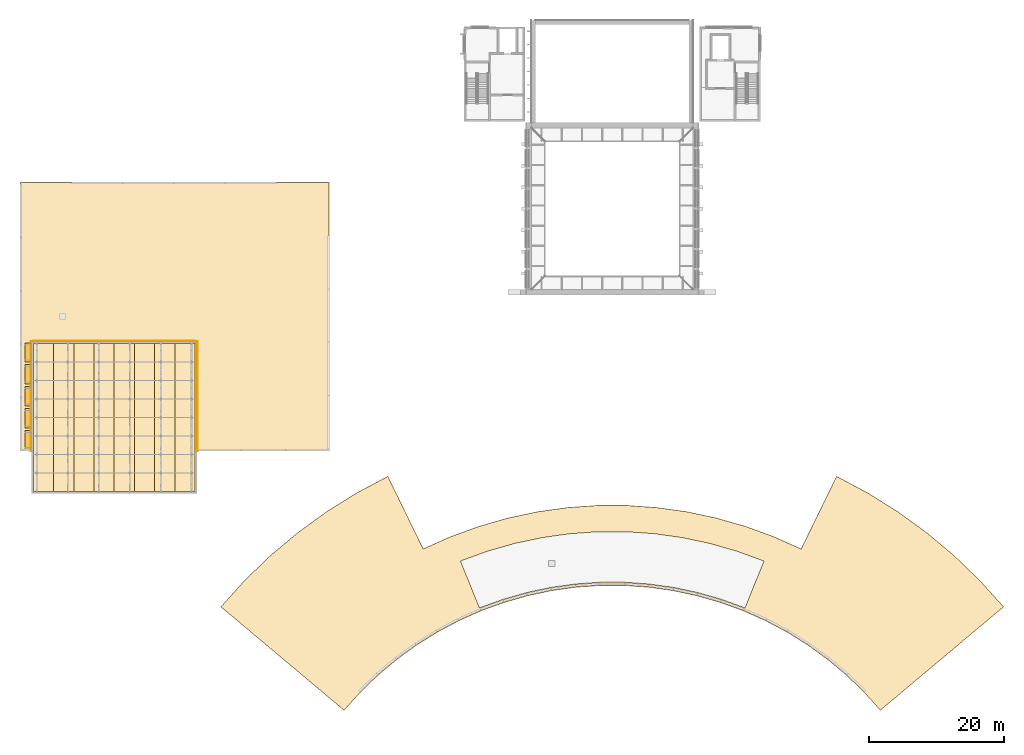
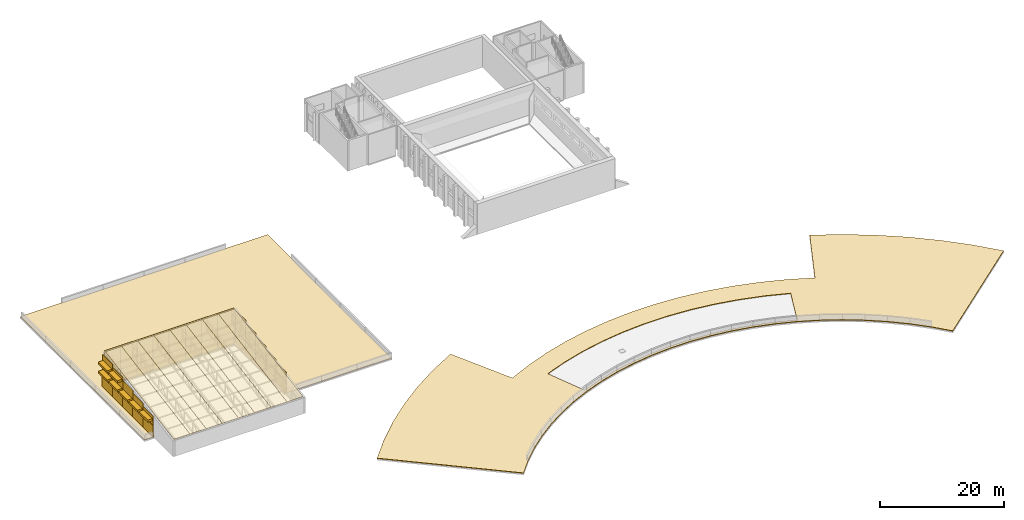
# One storey, part 18 of 22: 46 coverings, 7 shading devices.
"""IFC4 building model written with IfcOpenShell, lengths in metres."""

from ifc_helpers import new_model, si_unit, direction, frame, origin, origin_2d, place, context, subcontext, project, spatial, polyline, rectangle, outline, extrude, material, layer, layer_set, type_object, element, save


model = new_model("IFC4")

# Units and contexts
model_context = context("Model", 3, precision=1e-05, world=origin(), true_north=direction((0.0, 1.0)))
body_context = subcontext(model_context, "Body", "Model", "MODEL_VIEW")
ifc_project = project(units=[si_unit("LENGTHUNIT", "METRE"), si_unit("AREAUNIT", "SQUARE_METRE"), si_unit("VOLUMEUNIT", "CUBIC_METRE"), si_unit("PLANEANGLEUNIT", "RADIAN"), si_unit("MASSUNIT", "GRAM", prefix="KILO")], contexts=[model_context])

# Site, building, storey
site_placement = place(None, origin())
site = spatial("IfcSite", under=ifc_project, at=site_placement, CompositionType="ELEMENT")
building_placement = place(site_placement, origin())
building = spatial("IfcBuilding", under=site, at=building_placement, Name="Lunette Opera House", CompositionType="ELEMENT")
storey_placement = place(building_placement, frame((0.0, 0.0, 28.0)))
storey = spatial("IfcBuildingStorey", under=building, at=storey_placement, Name="L05", CompositionType="ELEMENT", Elevation=28.0)

# Shading devices
ifc_material_1 = material(Name="Powder-coated aluminium", Category="aluminium")
shading_device_type = type_object("IfcShadingDeviceType", Name="BRISE-SOLEIL BLADE 900 X 400", PredefinedType="USERDEFINED", material=ifc_material_1)
for number, where, z_axis, x_axis, name in (
    (1, (9.18994140625, 73.6298828125, 3.199951171875), (0.0, 0.0, 1.0), (-1.0, 0.0, 0.0), "Brise-soleil blade loft W3 0"),
    (2, (9.18994140625, 76.889892578125, 3.199951171875), (0.0, 0.0, 1.0), (-1.0, 0.0, 0.0), "Brise-soleil blade loft W3 1"),
    (3, (9.18994140625, 80.14990234375, 3.199951171875), (0.0, 0.0, 1.0), (-1.0, 0.0, 0.0), "Brise-soleil blade loft W3 2"),
    (4, (9.18994140625, 83.409912109375, 3.199951171875), (0.0, 0.0, 1.0), (-1.0, 0.0, 0.0), "Brise-soleil blade loft W3 3"),
    (5, (9.18994140625, 83.409912109375, 5.0), (0.0, 0.0, 1.0), (-1.0, 0.0, 0.0), "Brise-soleil blade loft W3 3"),
    (6, (9.18994140625, 86.669921875, 3.199951171875), (0.0, 0.0, 1.0), (-1.0, 0.0, 0.0), "Brise-soleil blade loft W3 4"),
    (7, (9.18994140625, 86.669921875, 5.0), (0.0, 0.0, 1.0), (-1.0, 0.0, 0.0), "Brise-soleil blade loft W3 4"),
):
    element("IfcShadingDevice", number, at=place(storey_placement, frame(where, z_axis=z_axis, x_axis=x_axis)), inside=storey, type_object=shading_device_type, Name=name, ObjectType="BRISE-SOLEIL BLADE", PredefinedType="USERDEFINED", context=body_context, shape_type="SweptSolid", body=[
        extrude(rectangle(XDim=0.89990234375, YDim=2.860107421875, at=origin_2d()), origin(), (0.0, 0.0, 1.0), 0.39990234375),
    ])

# Coverings
ifc_material_2 = material(Name="Clinker brick", Category="masonry")
ifc_layer_1 = layer(ifc_material_2, 0.114990234375)
ifc_layer_set_1 = layer_set([ifc_layer_1], Name="Clinker brick")
covering_type_1 = type_object("IfcCoveringType", Name="CLINKER CLADDING 115", PredefinedType="CLADDING", material=ifc_layer_set_1)
for number, where, z_axis, x_axis, name in (
    (8, (11.5, 88.35791015625, 0.0), (0.0, 0.0, 1.0), (1.0, 0.0, 0.0), "Loft cladding N 0"),
    (9, (14.5, 88.35791015625, 0.0), (0.0, 0.0, 1.0), (1.0, 0.0, 0.0), "Loft cladding N 1"),
    (10, (17.5, 88.35791015625, 0.0), (0.0, 0.0, 1.0), (1.0, 0.0, 0.0), "Loft cladding N 2"),
    (11, (20.5, 88.35791015625, 0.0), (0.0, 0.0, 1.0), (1.0, 0.0, 0.0), "Loft cladding N 3"),
    (12, (23.5, 88.35791015625, 0.0), (0.0, 0.0, 1.0), (1.0, 0.0, 0.0), "Loft cladding N 4"),
    (13, (26.5, 88.35791015625, 0.0), (0.0, 0.0, 1.0), (1.0, 0.0, 0.0), "Loft cladding N 5"),
    (14, (29.5, 88.35791015625, 0.0), (0.0, 0.0, 1.0), (1.0, 0.0, 0.0), "Loft cladding N 6"),
    (15, (32.5, 88.35791015625, 0.0), (0.0, 0.0, 1.0), (1.0, 0.0, 0.0), "Loft cladding N 7"),
):
    element("IfcCovering", number, at=place(storey_placement, frame(where, z_axis=z_axis, x_axis=x_axis)), inside=storey, type_object=covering_type_1, Name=name, PredefinedType="CLADDING", context=body_context, shape_type="SweptSolid", body=[
        extrude(rectangle(XDim=3.0, YDim=0.114990234375, at=origin_2d()), origin(), (0.0, 0.0, 1.0), 2.39990234375),
    ])
for number, where, z_axis, x_axis, name in (
    (16, (9.64306640625, 73.6298828125, 0.0), (0.0, 0.0, 1.0), (0.0, 1.0, 0.0), "Loft cladding W3 0"),
    (17, (9.64306640625, 76.889892578125, 0.0), (0.0, 0.0, 1.0), (0.0, 1.0, 0.0), "Loft cladding W3 1"),
    (18, (9.64306640625, 80.14990234375, 0.0), (0.0, 0.0, 1.0), (0.0, 1.0, 0.0), "Loft cladding W3 2"),
    (19, (9.64306640625, 83.409912109375, 0.0), (0.0, 0.0, 1.0), (0.0, 1.0, 0.0), "Loft cladding W3 3"),
    (20, (9.64306640625, 86.669921875, 0.0), (0.0, 0.0, 1.0), (0.0, 1.0, 0.0), "Loft cladding W3 4"),
    (21, (34.35791015625, 73.6298828125, 0.0), (0.0, 0.0, 1.0), (0.0, 1.0, 0.0), "Loft cladding E3 0"),
    (22, (34.35791015625, 76.889892578125, 0.0), (0.0, 0.0, 1.0), (0.0, 1.0, 0.0), "Loft cladding E3 1"),
    (23, (34.35791015625, 80.14990234375, 0.0), (0.0, 0.0, 1.0), (0.0, 1.0, 0.0), "Loft cladding E3 2"),
    (24, (34.35791015625, 83.409912109375, 0.0), (0.0, 0.0, 1.0), (0.0, 1.0, 0.0), "Loft cladding E3 3"),
    (25, (34.35791015625, 86.669921875, 0.0), (0.0, 0.0, 1.0), (0.0, 1.0, 0.0), "Loft cladding E3 4"),
):
    element("IfcCovering", number, at=place(storey_placement, frame(where, z_axis=z_axis, x_axis=x_axis)), inside=storey, type_object=covering_type_1, Name=name, PredefinedType="CLADDING", context=body_context, shape_type="SweptSolid", body=[
        extrude(rectangle(XDim=3.260009765625, YDim=0.114990234375, at=origin_2d()), origin(), (0.0, 0.0, 1.0), 2.39990234375),
    ])
ifc_material_3 = material(Name="Bitumen membrane on mineral wool")
ifc_layer_2 = layer(ifc_material_3, 0.1201171875)
ifc_layer_set_2 = layer_set([ifc_layer_2], Name="Bitumen membrane on mineral wool")
covering_type_2 = type_object("IfcCoveringType", Name="FLAT ROOF MEMBRANE 120", PredefinedType="ROOFING", material=ifc_layer_set_2)
covering_1_placement = place(storey_placement, origin())
element("IfcCovering", 26, at=covering_1_placement, inside=storey, type_object=covering_type_2, Name="Flat roof membrane FC L04 11", PredefinedType="ROOFING", context=body_context, shape_type="SweptSolid", body=[
    extrude(outline(polyline([(76.238037109375, 60.820068359375), (80.529052734375, 62.050048828125), (84.89599609375, 62.97900390625), (89.31494140625, 63.59912109375), (93.76806640625, 63.910888671875), (98.23193359375, 63.910888671875), (102.68505859375, 63.59912109375), (107.10400390625, 62.97900390625), (111.470947265625, 62.050048828125), (115.761962890625, 60.820068359375), (119.9560546875, 59.2939453125), (124.035888671875, 57.47705078125), (124.0400390625, 57.47607421875), (124.044921875, 57.47412109375), (124.049072265625, 57.472900390625), (124.053955078125, 57.472900390625), (124.05908203125, 57.472900390625), (124.06396484375, 57.47412109375), (124.069091796875, 57.47509765625), (124.072998046875, 57.47607421875), (124.077880859375, 57.47802734375), (124.08203125, 57.47998046875), (124.0859375, 57.48291015625), (124.089111328125, 57.486083984375), (124.093017578125, 57.489013671875), (124.095947265625, 57.492919921875), (124.09912109375, 57.4970703125), (124.10107421875, 57.5009765625), (129.337890625, 68.239990234375), (133.97509765625, 65.77490234375), (138.470947265625, 62.966064453125), (142.759033203125, 59.85009765625), (146.821044921875, 56.44189453125), (150.634033203125, 52.759033203125), (154.14697265625, 48.85693359375), (144.9951171875, 41.176025390625), (135.839111328125, 33.493896484375), (133.443115234375, 36.155029296875), (133.44091796875, 36.157958984375), (130.830078125, 38.679931640625), (130.826904296875, 38.681884765625), (128.0458984375, 41.014892578125), (128.04296875, 41.01708984375), (125.10693359375, 43.14990234375), (125.10400390625, 43.152099609375), (122.02587890625, 45.074951171875), (122.02294921875, 45.076904296875), (118.818115234375, 46.781005859375), (118.81494140625, 46.782958984375), (115.5, 48.260009765625), (115.4970703125, 48.260986328125), (112.0859375, 49.501953125), (112.0830078125, 49.5029296875), (108.593994140625, 50.5029296875), (108.590087890625, 50.50390625), (105.0400390625, 51.259033203125), (105.037109375, 51.260009765625), (101.44189453125, 51.764892578125), (101.43798828125, 51.764892578125), (97.818115234375, 52.01806640625), (97.81494140625, 52.01806640625), (94.18505859375, 52.01806640625), (94.181884765625, 52.01806640625), (90.56201171875, 51.764892578125), (90.55810546875, 51.764892578125), (86.962890625, 51.260009765625), (86.9599609375, 51.259033203125), (83.409912109375, 50.50390625), (83.406005859375, 50.5029296875), (79.9169921875, 49.5029296875), (79.9140625, 49.501953125), (76.5029296875, 48.260986328125), (76.5, 48.260009765625), (73.18505859375, 46.782958984375), (73.181884765625, 46.781005859375), (69.97705078125, 45.076904296875), (69.97412109375, 45.074951171875), (66.89599609375, 43.152099609375), (66.89306640625, 43.14990234375), (63.95703125, 41.01708984375), (63.9541015625, 41.014892578125), (61.173095703125, 38.681884765625), (61.169921875, 38.679931640625), (58.55908203125, 36.157958984375), (58.556884765625, 36.155029296875), (56.160888671875, 33.493896484375), (47.0048828125, 41.176025390625), (37.85302734375, 48.85693359375), (41.365966796875, 52.759033203125), (45.178955078125, 56.44189453125), (49.240966796875, 59.85009765625), (53.529052734375, 62.966064453125), (58.02490234375, 65.77490234375), (62.662109375, 68.239990234375), (67.89892578125, 57.5009765625), (67.90087890625, 57.4970703125), (67.904052734375, 57.492919921875), (67.906982421875, 57.489013671875), (67.910888671875, 57.486083984375), (67.9140625, 57.48291015625), (67.91796875, 57.47998046875), (67.922119140625, 57.47802734375), (67.927001953125, 57.47607421875), (67.930908203125, 57.47509765625), (67.93603515625, 57.47412109375), (67.94091796875, 57.472900390625), (67.946044921875, 57.472900390625), (67.950927734375, 57.472900390625), (67.955078125, 57.47412109375), (67.9599609375, 57.47607421875), (67.964111328125, 57.47705078125), (72.0439453125, 59.2939453125), (76.238037109375, 60.820068359375)]), holes=[polyline([(76.31298828125, 48.722900390625), (79.760986328125, 49.97802734375), (83.287109375, 50.989013671875), (86.875, 51.751953125), (90.507080078125, 52.261962890625), (94.166015625, 52.51806640625), (97.833984375, 52.51806640625), (101.492919921875, 52.261962890625), (105.125, 51.751953125), (108.712890625, 50.989013671875), (112.239013671875, 49.97802734375), (115.68701171875, 48.722900390625), (115.69091796875, 48.721923828125), (115.696044921875, 48.720947265625), (115.700927734375, 48.719970703125), (115.7060546875, 48.719970703125), (115.7109375, 48.719970703125), (115.715087890625, 48.720947265625), (115.719970703125, 48.722900390625), (115.72412109375, 48.72412109375), (115.72900390625, 48.72607421875), (115.73291015625, 48.72900390625), (115.736083984375, 48.73193359375), (115.739990234375, 48.735107421875), (115.742919921875, 48.739013671875), (115.74609375, 48.742919921875), (115.748046875, 48.7470703125), (115.75, 48.7509765625), (118.52197265625, 55.612060546875), (118.52392578125, 55.616943359375), (118.52490234375, 55.6220703125), (118.52587890625, 55.626953125), (118.52587890625, 55.632080078125), (118.52587890625, 55.636962890625), (118.52490234375, 55.64208984375), (118.52294921875, 55.64697265625), (118.52197265625, 55.65087890625), (118.51904296875, 55.656005859375), (118.51708984375, 55.659912109375), (118.513916015625, 55.6640625), (118.510009765625, 55.66796875), (118.506103515625, 55.6708984375), (118.501953125, 55.674072265625), (118.498046875, 55.676025390625), (118.492919921875, 55.677978515625), (114.55810546875, 57.110107421875), (114.554931640625, 57.111083984375), (110.529052734375, 58.26611328125), (110.52490234375, 58.26708984375), (106.428955078125, 59.136962890625), (106.426025390625, 59.137939453125), (102.279052734375, 59.720947265625), (102.27490234375, 59.720947265625), (98.096923828125, 60.012939453125), (98.093994140625, 60.012939453125), (93.906005859375, 60.012939453125), (93.903076171875, 60.012939453125), (89.72509765625, 59.720947265625), (89.720947265625, 59.720947265625), (85.573974609375, 59.137939453125), (85.571044921875, 59.136962890625), (81.47509765625, 58.26708984375), (81.470947265625, 58.26611328125), (77.445068359375, 57.111083984375), (77.44189453125, 57.110107421875), (73.507080078125, 55.677978515625), (73.501953125, 55.676025390625), (73.498046875, 55.674072265625), (73.493896484375, 55.6708984375), (73.489990234375, 55.66796875), (73.486083984375, 55.6640625), (73.48291015625, 55.659912109375), (73.48095703125, 55.656005859375), (73.47802734375, 55.65087890625), (73.47705078125, 55.64697265625), (73.47509765625, 55.64208984375), (73.47412109375, 55.636962890625), (73.47412109375, 55.632080078125), (73.47412109375, 55.626953125), (73.47509765625, 55.6220703125), (73.47607421875, 55.616943359375), (73.47802734375, 55.612060546875), (76.25, 48.7509765625), (76.251953125, 48.7470703125), (76.25390625, 48.742919921875), (76.257080078125, 48.739013671875), (76.260009765625, 48.735107421875), (76.263916015625, 48.73193359375), (76.26708984375, 48.72900390625), (76.27099609375, 48.72607421875), (76.27587890625, 48.72412109375), (76.280029296875, 48.722900390625), (76.284912109375, 48.720947265625), (76.2890625, 48.719970703125), (76.2939453125, 48.719970703125), (76.299072265625, 48.719970703125), (76.303955078125, 48.720947265625), (76.30908203125, 48.721923828125), (76.31298828125, 48.722900390625)])]), origin(), (0.0, 0.0, 1.0), 0.1201171875),
])
covering_2_placement = place(storey_placement, origin())
element("IfcCovering", 27, at=covering_2_placement, inside=storey, type_object=covering_type_2, Name="Flat roof membrane RW L04 11", PredefinedType="ROOFING", context=body_context, shape_type="SweptSolid", body=[
    extrude(outline(polyline([(8.050048828125, 72.050048828125), (8.050048828125, 111.949951171875), (53.949951171875, 111.949951171875), (53.949951171875, 72.050048828125), (34.050048828125, 72.050048828125), (34.050048828125, 88.0), (34.050048828125, 88.0048828125), (34.049072265625, 88.010009765625), (34.048095703125, 88.014892578125), (34.0458984375, 88.01904296875), (34.0439453125, 88.02392578125), (34.0419921875, 88.028076171875), (34.0390625, 88.031982421875), (34.034912109375, 88.034912109375), (34.031982421875, 88.0390625), (34.028076171875, 88.0419921875), (34.02392578125, 88.0439453125), (34.01904296875, 88.0458984375), (34.014892578125, 88.048095703125), (34.010009765625, 88.049072265625), (34.0048828125, 88.050048828125), (34.0, 88.050048828125), (10.0, 88.050048828125), (9.9951171875, 88.050048828125), (9.989990234375, 88.049072265625), (9.985107421875, 88.048095703125), (9.98095703125, 88.0458984375), (9.97607421875, 88.0439453125), (9.971923828125, 88.0419921875), (9.968017578125, 88.0390625), (9.965087890625, 88.034912109375), (9.9609375, 88.031982421875), (9.9580078125, 88.028076171875), (9.9560546875, 88.02392578125), (9.9541015625, 88.01904296875), (9.951904296875, 88.014892578125), (9.950927734375, 88.010009765625), (9.949951171875, 88.0048828125), (9.949951171875, 88.0), (9.949951171875, 72.050048828125), (8.050048828125, 72.050048828125)])), origin(), (0.0, 0.0, 1.0), 0.1201171875),
])
ifc_material_4 = material(Name="Aluminium standing seam cladding", Category="aluminium")
ifc_layer_3 = layer(ifc_material_4, 0.06005859375)
ifc_layer_set_3 = layer_set([ifc_layer_3], Name="Aluminium standing seam cladding")
covering_type_3 = type_object("IfcCoveringType", Name="STANDING SEAM CLADDING 60", PredefinedType="CLADDING", material=ifc_layer_set_3)
for number, where, z_axis, x_axis, name in (
    (28, (11.5, 88.330078125, 2.400390625), (0.0, 0.0, 1.0), (1.0, 0.0, 0.0), "Loft cladding N 0"),
    (29, (14.5, 88.330078125, 2.400390625), (0.0, 0.0, 1.0), (1.0, 0.0, 0.0), "Loft cladding N 1"),
    (30, (17.5, 88.330078125, 2.400390625), (0.0, 0.0, 1.0), (1.0, 0.0, 0.0), "Loft cladding N 2"),
    (31, (20.5, 88.330078125, 2.400390625), (0.0, 0.0, 1.0), (1.0, 0.0, 0.0), "Loft cladding N 3"),
    (32, (23.5, 88.330078125, 2.400390625), (0.0, 0.0, 1.0), (1.0, 0.0, 0.0), "Loft cladding N 4"),
    (33, (26.5, 88.330078125, 2.400390625), (0.0, 0.0, 1.0), (1.0, 0.0, 0.0), "Loft cladding N 5"),
    (34, (29.5, 88.330078125, 2.400390625), (0.0, 0.0, 1.0), (1.0, 0.0, 0.0), "Loft cladding N 6"),
    (35, (32.5, 88.330078125, 2.400390625), (0.0, 0.0, 1.0), (1.0, 0.0, 0.0), "Loft cladding N 7"),
):
    element("IfcCovering", number, at=place(storey_placement, frame(where, z_axis=z_axis, x_axis=x_axis)), inside=storey, type_object=covering_type_3, Name=name, PredefinedType="CLADDING", context=body_context, shape_type="SweptSolid", body=[
        extrude(rectangle(XDim=3.0, YDim=0.06005859375, at=origin_2d()), origin(), (0.0, 0.0, 1.0), 4.5791015625),
    ])
covering_3_placement = place(storey_placement, frame((9.669921875, 73.6298828125, 2.39990234375), z_axis=(0.0, 0.0, 1.0), x_axis=(0.0, 1.0, 0.0)))
element("IfcCovering", 36, at=covering_3_placement, inside=storey, type_object=covering_type_3, Name="Loft cladding W3 0", PredefinedType="CLADDING", context=body_context, shape_type="SweptSolid", body=[
    extrude(rectangle(XDim=3.260009765625, YDim=0.06005859375, at=origin_2d()), origin(), (0.0, 0.0, 1.0), 1.758056640625),
])
covering_4_placement = place(storey_placement, frame((9.669921875, 76.889892578125, 2.3994140625), z_axis=(0.0, 0.0, 1.0), x_axis=(0.0, 1.0, 0.0)))
element("IfcCovering", 37, at=covering_4_placement, inside=storey, type_object=covering_type_3, Name="Loft cladding W3 1", PredefinedType="CLADDING", context=body_context, shape_type="SweptSolid", body=[
    extrude(rectangle(XDim=3.260009765625, YDim=0.06005859375, at=origin_2d()), origin(), (0.0, 0.0, 1.0), 2.3330078125),
])
covering_5_placement = place(storey_placement, frame((9.669921875, 80.14990234375, 2.39990234375), z_axis=(0.0, 0.0, 1.0), x_axis=(0.0, 1.0, 0.0)))
element("IfcCovering", 38, at=covering_5_placement, inside=storey, type_object=covering_type_3, Name="Loft cladding W3 2", PredefinedType="CLADDING", context=body_context, shape_type="SweptSolid", body=[
    extrude(rectangle(XDim=3.260009765625, YDim=0.06005859375, at=origin_2d()), origin(), (0.0, 0.0, 1.0), 2.907958984375),
])
covering_6_placement = place(storey_placement, frame((9.669921875, 83.409912109375, 2.400146484375), z_axis=(0.0, 0.0, 1.0), x_axis=(0.0, 1.0, 0.0)))
element("IfcCovering", 39, at=covering_6_placement, inside=storey, type_object=covering_type_3, Name="Loft cladding W3 3", PredefinedType="CLADDING", context=body_context, shape_type="SweptSolid", body=[
    extrude(rectangle(XDim=3.260009765625, YDim=0.06005859375, at=origin_2d()), origin(), (0.0, 0.0, 1.0), 3.48193359375),
])
covering_7_placement = place(storey_placement, frame((9.669921875, 86.669921875, 2.400390625), z_axis=(0.0, 0.0, 1.0), x_axis=(0.0, 1.0, 0.0)))
element("IfcCovering", 40, at=covering_7_placement, inside=storey, type_object=covering_type_3, Name="Loft cladding W3 4", PredefinedType="CLADDING", context=body_context, shape_type="SweptSolid", body=[
    extrude(rectangle(XDim=3.260009765625, YDim=0.06005859375, at=origin_2d()), origin(), (0.0, 0.0, 1.0), 4.056884765625),
])
covering_8_placement = place(storey_placement, frame((34.330078125, 73.6298828125, 2.39990234375), z_axis=(0.0, 0.0, 1.0), x_axis=(0.0, 1.0, 0.0)))
element("IfcCovering", 41, at=covering_8_placement, inside=storey, type_object=covering_type_3, Name="Loft cladding E3 0", PredefinedType="CLADDING", context=body_context, shape_type="SweptSolid", body=[
    extrude(rectangle(XDim=3.260009765625, YDim=0.06005859375, at=origin_2d()), origin(), (0.0, 0.0, 1.0), 1.758056640625),
])
covering_9_placement = place(storey_placement, frame((34.330078125, 76.889892578125, 2.3994140625), z_axis=(0.0, 0.0, 1.0), x_axis=(0.0, 1.0, 0.0)))
element("IfcCovering", 42, at=covering_9_placement, inside=storey, type_object=covering_type_3, Name="Loft cladding E3 1", PredefinedType="CLADDING", context=body_context, shape_type="SweptSolid", body=[
    extrude(rectangle(XDim=3.260009765625, YDim=0.06005859375, at=origin_2d()), origin(), (0.0, 0.0, 1.0), 2.3330078125),
])
covering_10_placement = place(storey_placement, frame((34.330078125, 80.14990234375, 2.39990234375), z_axis=(0.0, 0.0, 1.0), x_axis=(0.0, 1.0, 0.0)))
element("IfcCovering", 43, at=covering_10_placement, inside=storey, type_object=covering_type_3, Name="Loft cladding E3 2", PredefinedType="CLADDING", context=body_context, shape_type="SweptSolid", body=[
    extrude(rectangle(XDim=3.260009765625, YDim=0.06005859375, at=origin_2d()), origin(), (0.0, 0.0, 1.0), 2.907958984375),
])
covering_11_placement = place(storey_placement, frame((34.330078125, 83.409912109375, 2.400146484375), z_axis=(0.0, 0.0, 1.0), x_axis=(0.0, 1.0, 0.0)))
element("IfcCovering", 44, at=covering_11_placement, inside=storey, type_object=covering_type_3, Name="Loft cladding E3 3", PredefinedType="CLADDING", context=body_context, shape_type="SweptSolid", body=[
    extrude(rectangle(XDim=3.260009765625, YDim=0.06005859375, at=origin_2d()), origin(), (0.0, 0.0, 1.0), 3.48193359375),
])
covering_12_placement = place(storey_placement, frame((34.330078125, 86.669921875, 2.400390625), z_axis=(0.0, 0.0, 1.0), x_axis=(0.0, 1.0, 0.0)))
element("IfcCovering", 45, at=covering_12_placement, inside=storey, type_object=covering_type_3, Name="Loft cladding E3 4", PredefinedType="CLADDING", context=body_context, shape_type="SweptSolid", body=[
    extrude(rectangle(XDim=3.260009765625, YDim=0.06005859375, at=origin_2d()), origin(), (0.0, 0.0, 1.0), 4.056884765625),
])
ifc_material_5 = material(Name="Zinc standing seam roofing")
ifc_layer_4 = layer(ifc_material_5, 0.050048828125)
ifc_layer_set_4 = layer_set([ifc_layer_4], Name="Zinc standing seam roofing")
covering_type_4 = type_object("IfcCoveringType", Name="STANDING SEAM ROOFING 50", PredefinedType="ROOFING", material=ifc_layer_set_4)
for number, where, z_axis, x_axis, name in (
    (46, (10.0, 66.0, 3.169921875), (0.0, -0.173646302826, 0.984808083595), (1.0, 0.0, 0.0), "Loft standing seam roofing 1"),
    (47, (13.0, 66.0, 3.169921875), (0.0, -0.173646302826, 0.984808083595), (1.0, 0.0, 0.0), "Loft standing seam roofing 2"),
    (48, (16.0, 66.0, 3.169921875), (0.0, -0.173646302826, 0.984808083595), (1.0, 0.0, 0.0), "Loft standing seam roofing 3"),
    (49, (19.0, 66.0, 3.169921875), (0.0, -0.173646302826, 0.984808083595), (1.0, 0.0, 0.0), "Loft standing seam roofing 4"),
    (50, (22.0, 66.0, 3.169921875), (0.0, -0.173646302826, 0.984808083595), (1.0, 0.0, 0.0), "Loft standing seam roofing 5"),
    (51, (25.0, 66.0, 3.169921875), (0.0, -0.173646302826, 0.984808083595), (1.0, 0.0, 0.0), "Loft standing seam roofing 6"),
    (52, (28.0, 66.0, 3.169921875), (0.0, -0.173646302826, 0.984808083595), (1.0, 0.0, 0.0), "Loft standing seam roofing 7"),
    (53, (31.0, 66.0, 3.169921875), (0.0, -0.173646302826, 0.984808083595), (1.0, 0.0, 0.0), "Loft standing seam roofing 8"),
):
    element("IfcCovering", number, at=place(storey_placement, frame(where, z_axis=z_axis, x_axis=x_axis)), inside=storey, type_object=covering_type_4, Name=name, PredefinedType="ROOFING", context=body_context, shape_type="SweptSolid", body=[
        extrude(outline(polyline([(0.0, 0.0), (3.0, 0.0), (3.0, 22.339377962537053), (0.0, 22.339377962537053), (0.0, 0.0)])), origin(), (0.0, 0.0, -1.0), 0.050048828125),
    ])

save(model, "model.ifc")
